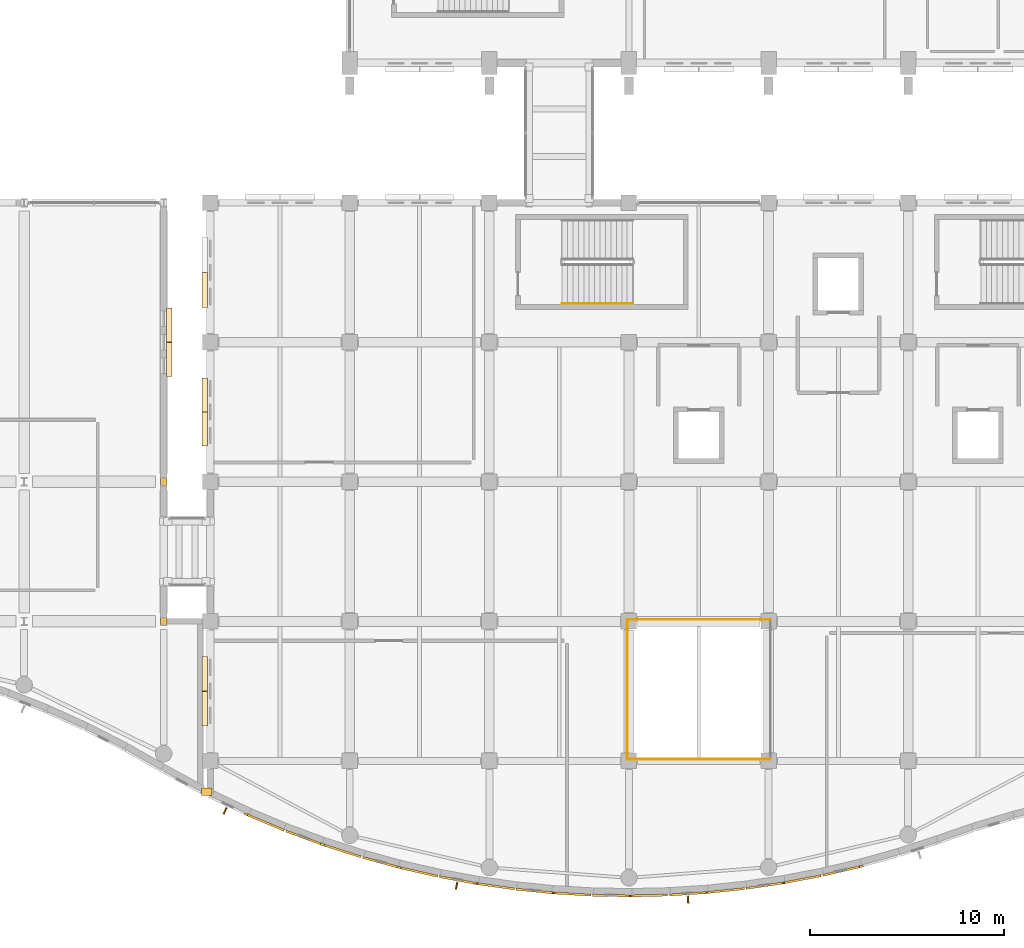
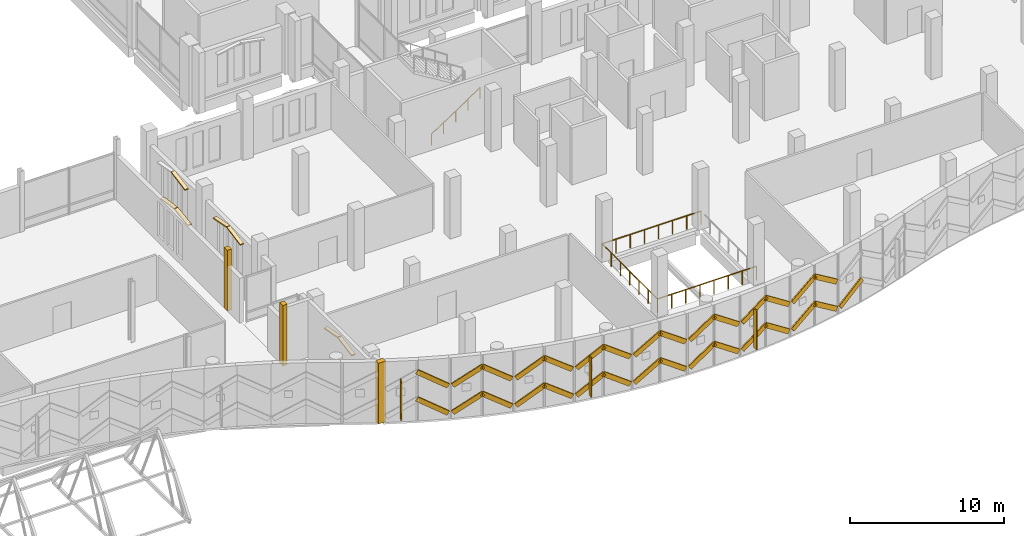
# One storey, part 204 of 220: 41 coverings, 4 railings, 3 shading devices.
"""IFC4 building model written with IfcOpenShell, lengths in metres."""

from ifc_helpers import new_model, si_unit, direction, frame, origin, origin_2d, place, context, subcontext, project, spatial, polyline, rectangle, circle, outline, extrude, material, layer, layer_set, type_object, element, save


model = new_model("IFC4")

# Units and contexts
model_context = context("Model", 3, precision=1e-05, world=origin(), true_north=direction((0.0, 1.0)))
body_context = subcontext(model_context, "Body", "Model", "MODEL_VIEW")
ifc_project = project(units=[si_unit("LENGTHUNIT", "METRE"), si_unit("AREAUNIT", "SQUARE_METRE"), si_unit("VOLUMEUNIT", "CUBIC_METRE"), si_unit("PLANEANGLEUNIT", "RADIAN"), si_unit("MASSUNIT", "GRAM", prefix="KILO")], contexts=[model_context])

# Site, building, storey
site_placement = place(None, origin())
site = spatial("IfcSite", under=ifc_project, at=site_placement, CompositionType="ELEMENT")
building_placement = place(site_placement, origin())
building = spatial("IfcBuilding", under=site, at=building_placement, Name="Cendralis Lancet Convention Centre", CompositionType="ELEMENT")
storey_placement = place(building_placement, frame((0.0, 0.0, 5.39990234375)))
storey = spatial("IfcBuildingStorey", under=building, at=storey_placement, Name="L01", CompositionType="ELEMENT", Elevation=5.39990234375)

# Coverings
ifc_material_1 = material(Name="Warm buff sandstone chevron cassette", Category="masonry")
ifc_layer_1 = layer(ifc_material_1, 0.06005859375, Name="Warm buff sandstone chevron cassette")
ifc_layer_set_1 = layer_set([ifc_layer_1], Name="Warm buff sandstone chevron cassette")
covering_type_1 = type_object("IfcCoveringType", Name="ARC-CV-CLAD1", PredefinedType="CLADDING", material=ifc_layer_set_1)
covering_1_placement = place(storey_placement, frame((133.903076171875, 4.3662109375, 1.9501953125), z_axis=(0.492533000952, -0.207444705575, 0.845208812721), x_axis=(0.779104660725, -0.327679594694, -0.53443616163)))
element("IfcCovering", 1, at=covering_1_placement, inside=storey, type_object=covering_type_1, Name="L01 Diagonal Stone Chevron Relief CL-ST1 #0397", PredefinedType="CLADDING", context=body_context, shape_type="SweptSolid", body=[
    extrude(outline(polyline([(0.0, 0.0), (2.4326015426180643, -5.97395397039513e-17), (2.4326085260737225, 0.11018317912676806), (8.698335670653812e-05, 0.10995814651646971), (0.0, 0.0)])), origin(), (0.0, 0.0, -1.0), 0.360107421875),
])
covering_2_placement = place(storey_placement, frame((135.8837890625, 3.535400390625, 0.650146484375), z_axis=(-0.507780276256, 0.18726648486, 0.840886707407), x_axis=(0.788897872123, -0.291085223623, 0.541211178698)))
element("IfcCovering", 2, at=covering_2_placement, inside=storey, type_object=covering_type_1, Name="L01 Diagonal Stone Chevron Relief CL-ST1 #0403", PredefinedType="CLADDING", context=body_context, shape_type="SweptSolid", body=[
    extrude(outline(polyline([(0.0, 0.0), (2.402110080674847, -4.255493527005605e-17), (2.40209519260325, 0.11007060415303944), (-1.488807159711475e-05, 0.11007060415303944), (0.0, 0.0)])), origin(), (0.0, 0.0, -1.0), 0.360107421875),
])
covering_3_placement = place(storey_placement, frame((137.864990234375, 2.806396484375, 1.9501953125), z_axis=(0.521034863951, -0.167605620572, 0.836917574496), x_axis=(0.7968902502, -0.25572848478, -0.547328851066)))
element("IfcCovering", 3, at=covering_3_placement, inside=storey, type_object=covering_type_1, Name="L01 Diagonal Stone Chevron Relief CL-ST1 #0409", PredefinedType="CLADDING", context=body_context, shape_type="SweptSolid", body=[
    extrude(outline(polyline([(0.0, 0.0), (2.375260915980276, 1.6333505728494124e-16), (2.375325206643625, 0.11002183942709215), (6.42906633486727e-05, 0.11002183942709198), (0.0, 0.0)])), origin(), (0.0, 0.0, -1.0), 0.360107421875),
])
covering_4_placement = place(storey_placement, frame((139.845458984375, 2.1728515625, 0.650146484375), z_axis=(-0.532755676601, 0.14607816939, 0.833566168626), x_axis=(0.80388726302, -0.220449146202, 0.552419625188)))
element("IfcCovering", 4, at=covering_4_placement, inside=storey, type_object=covering_type_1, Name="L01 Diagonal Stone Chevron Relief CL-ST1 #0415", PredefinedType="CLADDING", context=body_context, shape_type="SweptSolid", body=[
    extrude(outline(polyline([(0.0, 0.0), (2.3533719094111722, 2.0837010502455788e-17), (2.353368895458001, 0.10986789265701721), (-3.0139531707260026e-06, 0.10986789265701727), (0.0, 0.0)])), origin(), (0.0, 0.0, -1.0), 0.360107421875),
])
covering_5_placement = place(storey_placement, frame((141.82568359375, 1.6318359375, 1.9501953125), z_axis=(0.542527889255, -0.124676488771, 0.830734170796), x_axis=(0.809746338666, -0.185553799789, -0.556669250454)))
element("IfcCovering", 5, at=covering_5_placement, inside=storey, type_object=covering_type_1, Name="L01 Diagonal Stone Chevron Relief CL-ST1 #0421", PredefinedType="CLADDING", context=body_context, shape_type="SweptSolid", body=[
    extrude(outline(polyline([(0.0, 0.0), (2.3354289288572163, -1.1069704181077e-16), (2.3354632814690657, 0.1102156286473947), (7.965383250090746e-05, 0.10997766659986817), (0.0, 0.0)])), origin(), (0.0, 0.0, -1.0), 0.360107421875),
])
covering_6_placement = place(storey_placement, frame((143.805908203125, 1.18017578125, 0.650146484375), z_axis=(-0.550577336212, 0.10191273492, 0.82853991534), x_axis=(0.814606038001, -0.151312519515, 0.559929928018)))
element("IfcCovering", 6, at=covering_6_placement, inside=storey, type_object=covering_type_1, Name="L01 Diagonal Stone Chevron Relief CL-ST1 #0427", PredefinedType="CLADDING", context=body_context, shape_type="SweptSolid", body=[
    extrude(outline(polyline([(0.0, 0.0), (2.321806288738312, -2.2985086056692694e-17), (2.321749220615972, 0.10999150106814967), (-5.7068122340086375e-05, 0.1099915010681497), (0.0, 0.0)])), origin(), (0.0, 0.0, -1.0), 0.360107421875),
])
covering_7_placement = place(storey_placement, frame((145.787109375, 0.81396484375, 1.9501953125), z_axis=(0.557291093283, -0.079256404084, 0.826525897815), x_axis=(0.818231606827, -0.116799638593, -0.562898642753)))
element("IfcCovering", 7, at=covering_7_placement, inside=storey, type_object=covering_type_1, Name="L01 Diagonal Stone Chevron Relief CL-ST1 #0433", PredefinedType="CLADDING", context=body_context, shape_type="SweptSolid", body=[
    extrude(outline(polyline([(0.0, 0.0), (2.3096752299209027, 1.3010426069826053e-18), (2.3095138902674024, 0.11020927018501564), (6.693945915100565e-05, 0.11000203464667566), (0.0, 0.0)])), origin(), (0.0, 0.0, -1.0), 0.360107421875),
])
covering_8_placement = place(storey_placement, frame((147.767333984375, 0.533203125, 0.650146484375), z_axis=(-0.562099540829, 0.05633514329, 0.825148748912), x_axis=(0.8210105266, -0.082536011073, 0.564915499954)))
element("IfcCovering", 8, at=covering_8_placement, inside=storey, type_object=covering_type_1, Name="L01 Diagonal Stone Chevron Relief CL-ST1 #0439", PredefinedType="CLADDING", context=body_context, shape_type="SweptSolid", body=[
    extrude(outline(polyline([(0.0, 0.0), (2.301315556451815, 1.620882247865829e-17), (2.301287920886672, 0.11016830139976394), (-2.7635565143182064e-05, 0.11016830139976395), (0.0, 0.0)])), origin(), (0.0, 0.0, -1.0), 0.360107421875),
])
covering_9_placement = place(storey_placement, frame((149.747314453125, 0.336181640625, 1.9501953125), z_axis=(0.565274224042, -0.032733028564, 0.824253359395), x_axis=(0.822801091345, -0.048912962267, -0.566220704499)))
element("IfcCovering", 9, at=covering_9_placement, inside=storey, type_object=covering_type_1, Name="L01 Diagonal Stone Chevron Relief CL-ST1 #0445", PredefinedType="CLADDING", context=body_context, shape_type="SweptSolid", body=[
    extrude(outline(polyline([(0.0, 0.0), (2.2960107565745815, 8.890457814381136e-18), (2.2958718181754803, 0.1098026840626082), (-0.00013893839910132395, 0.10980268406260817), (0.0, 0.0)])), origin(), (0.0, 0.0, -1.0), 0.360107421875),
])
covering_10_placement = place(storey_placement, frame((151.727294921875, 0.22021484375, 0.650146484375), z_axis=(-0.566597239301, 0.010050505353, 0.823933586983), x_axis=(0.823796970559, -0.015005215457, 0.56668632841)))
element("IfcCovering", 10, at=covering_10_placement, inside=storey, type_object=covering_type_1, Name="L01 Diagonal Stone Chevron Relief CL-ST1 #0451", PredefinedType="CLADDING", context=body_context, shape_type="SweptSolid", body=[
    extrude(outline(polyline([(0.0, 0.0), (2.294124214663174, -1.734723475976807e-18), (2.2940810075327023, 0.1101247346528868), (-4.3207130471803034e-05, 0.11012473465288682), (0.0, 0.0)])), origin(), (0.0, 0.0, -1.0), 0.360107421875),
])
covering_11_placement = place(storey_placement, frame((153.7080078125, 0.18603515625, 1.9501953125), z_axis=(0.566669286218, 0.013222283345, 0.823839238735), x_axis=(0.823623824388, 0.018839668673, -0.56682348468)))
element("IfcCovering", 11, at=covering_11_placement, inside=storey, type_object=covering_type_1, Name="L01 Diagonal Stone Chevron Relief CL-ST1 #0457", PredefinedType="CLADDING", context=body_context, shape_type="SweptSolid", body=[
    extrude(outline(polyline([(0.0, 0.0), (2.293669636325795, -2.710505431213761e-19), (2.293527543756099, 0.10989598606756934), (5.898746555506665e-05, 0.10989036703460581), (0.0, 0.0)])), origin(), (0.0, 0.0, -1.0), 0.360107421875),
])
covering_12_placement = place(storey_placement, frame((155.687744140625, 0.233154296875, 0.650146484375), z_axis=(-0.565021610115, -0.035156900185, 0.824326738904), x_axis=(0.822645657543, 0.052624657597, 0.566113740814)))
element("IfcCovering", 12, at=covering_12_placement, inside=storey, type_object=covering_type_1, Name="L01 Diagonal Stone Chevron Relief CL-ST1 #0463", PredefinedType="CLADDING", context=body_context, shape_type="SweptSolid", body=[
    extrude(outline(polyline([(0.0, 0.0), (2.2964445735871357, 3.469446951953614e-18), (2.296602536845764, 0.11007563606961095), (0.0001579632586282678, 0.11007563606961095), (0.0, 0.0)])), origin(), (0.0, 0.0, -1.0), 0.360107421875),
])
covering_13_placement = place(storey_placement, frame((157.66748046875, 0.36181640625, 1.9501953125), z_axis=(0.561545786047, 0.059538894726, 0.825300824056), x_axis=(0.820741180237, 0.086633783369, -0.564693281917)))
element("IfcCovering", 13, at=covering_13_placement, inside=storey, type_object=covering_type_1, Name="L01 Diagonal Stone Chevron Relief CL-ST1 #0469", PredefinedType="CLADDING", context=body_context, shape_type="SweptSolid", body=[
    extrude(outline(polyline([(0.0, 0.0), (2.302321353089751, 3.0899761915836876e-18), (2.302178862439796, 0.1100008851061633), (5.788561475185937e-05, 0.10997522100785523), (0.0, 0.0)])), origin(), (0.0, 0.0, -1.0), 0.360107421875),
])
covering_14_placement = place(storey_placement, frame((159.647216796875, 0.57275390625, 0.650146484375), z_axis=(-0.556536288522, -0.08254246077, 0.826712829057), x_axis=(0.817891405878, 0.120449063777, 0.562623916329)))
element("IfcCovering", 14, at=covering_14_placement, inside=storey, type_object=covering_type_1, Name="L01 Diagonal Stone Chevron Relief CL-ST1 #0475", PredefinedType="CLADDING", context=body_context, shape_type="SweptSolid", body=[
    extrude(outline(polyline([(0.0, 0.0), (2.3106888818513065, 7.37257477290143e-18), (2.310595864417957, 0.10983095630124241), (-9.301743334994353e-05, 0.10983095630124243), (0.0, 0.0)])), origin(), (0.0, 0.0, -1.0), 0.360107421875),
])
covering_15_placement = place(storey_placement, frame((161.626708984375, 0.8662109375, 1.9501953125), z_axis=(0.549718528844, 0.104471394622, 0.828791449492), x_axis=(0.814169448592, 0.154994829204, -0.559557603737)))
element("IfcCovering", 15, at=covering_15_placement, inside=storey, type_object=covering_type_1, Name="L01 Diagonal Stone Chevron Relief CL-ST1 #0481", PredefinedType="CLADDING", context=body_context, shape_type="SweptSolid", body=[
    extrude(outline(polyline([(0.0, 0.0), (2.3233511964511706, 3.90583832637903e-17), (2.3233798782935717, 0.10984157397263787), (2.8681842401040436e-05, 0.10984157397263791), (0.0, 0.0)])), origin(), (0.0, 0.0, -1.0), 0.360107421875),
])
covering_16_placement = place(storey_placement, frame((163.607421875, 1.2451171875, 0.650146484375), z_axis=(-0.541506189498, -0.127195296507, 0.83101889466), x_axis=(0.809127679696, 0.189485875457, 0.556244101948)))
element("IfcCovering", 16, at=covering_16_placement, inside=storey, type_object=covering_type_1, Name="L01 Diagonal Stone Chevron Relief CL-ST1 #0487", PredefinedType="CLADDING", context=body_context, shape_type="SweptSolid", body=[
    extrude(outline(polyline([(0.0, 0.0), (2.3372144111030053, -1.100465205072787e-16), (2.3371301001755995, 0.10985049749226938), (-3.8049727343364426e-05, 0.11008819524961726), (0.0, 0.0)])), origin(), (0.0, 0.0, -1.0), 0.360107421875),
])
covering_17_placement = place(storey_placement, origin())
element("IfcCovering", 17, at=covering_17_placement, inside=storey, type_object=covering_type_1, Name="L01 Wave Ribbon 200mm Seismic-Joint Stone Cover Strip", PredefinedType="CLADDING", context=body_context, shape_type="SweptSolid", body=[
    extrude(outline(polyline([(131.5400390625, 5.431396484375), (132.080078125, 5.431396484375), (132.080078125, 5.8115234375), (131.5400390625, 5.8115234375), (131.5400390625, 5.431396484375)])), origin(), (0.0, 0.0, 1.0), 4.800048828125),
])
for number, where, z_axis, x_axis, name in (
    (18, (130.02001953125, 30.56005859375, 3.27001953125), (0.0, 0.133150842636, 0.991095784022), (-1.0, 0.0, 0.0), "L01 Gothic Pointed Lancet Hood-Mould #0259L"),
    (19, (130.02001953125, 28.7900390625, 3.505126953125), (0.0, -0.133150842636, 0.991095784022), (-1.0, 0.0, 0.0), "L01 Gothic Pointed Lancet Hood-Mould #0260R"),
):
    element("IfcCovering", number, at=place(storey_placement, frame(where, z_axis=z_axis, x_axis=x_axis)), inside=storey, type_object=covering_type_1, Name=name, PredefinedType="CLADDING", context=body_context, shape_type="SweptSolid", body=[
        extrude(outline(polyline([(0.0, 0.0), (0.284912109375, 0.0), (0.284912109375, 1.7657223733703749), (0.0, 1.7657223733703749), (0.0, 0.0)])), origin(), (0.0, 0.0, -1.0), 0.090087890625),
    ])
for number, where, z_axis, x_axis, name in (
    (20, (131.580078125, 9.0, 3.27001953125), (0.0, -0.183932374671, 0.982938900211), (1.0, 0.0, 0.0), "L01 Gothic Pointed Lancet Hood-Mould #0343L"),
    (21, (131.580078125, 10.81005859375, 3.60498046875), (0.0, 0.183932374671, 0.982938900211), (1.0, 0.0, 0.0), "L01 Gothic Pointed Lancet Hood-Mould #0344R"),
):
    element("IfcCovering", number, at=place(storey_placement, frame(where, z_axis=z_axis, x_axis=x_axis)), inside=storey, type_object=covering_type_1, Name=name, PredefinedType="CLADDING", context=body_context, shape_type="SweptSolid", body=[
        extrude(outline(polyline([(0.0, 0.0), (0.284912109375, 0.0), (0.284912109375, 1.8211091880847667), (0.0, 1.8211091880847667), (0.0, 0.0)])), origin(), (0.0, 0.0, -1.0), 0.090087890625),
    ])
for number, where, z_axis, x_axis, name in (
    (22, (131.580078125, 23.43994140625, 3.27001953125), (0.0, -0.187993527685, 0.982170267086), (1.0, 0.0, 0.0), "L01 Gothic Pointed Lancet Hood-Mould #0345L"),
    (23, (131.580078125, 25.2099609375, 3.60498046875), (0.0, 0.187993527685, 0.982170267086), (1.0, 0.0, 0.0), "L01 Gothic Pointed Lancet Hood-Mould #0346R"),
):
    element("IfcCovering", number, at=place(storey_placement, frame(where, z_axis=z_axis, x_axis=x_axis)), inside=storey, type_object=covering_type_1, Name=name, PredefinedType="CLADDING", context=body_context, shape_type="SweptSolid", body=[
        extrude(outline(polyline([(0.0, 0.0), (0.284912109375, 0.0), (0.284912109375, 1.7817684556784807), (0.0, 1.7817684556784807), (0.0, 0.0)])), origin(), (0.0, 0.0, -1.0), 0.090087890625),
    ])
covering_18_placement = place(storey_placement, frame((131.580078125, 30.60009765625, 3.27001953125), z_axis=(0.0, -0.183956615362, 0.982934363864), x_axis=(1.0, 0.0, 0.0)))
element("IfcCovering", 24, at=covering_18_placement, inside=storey, type_object=covering_type_1, Name="L01 Gothic Pointed Lancet Hood-Mould #0347L", PredefinedType="CLADDING", context=body_context, shape_type="SweptSolid", body=[
    extrude(outline(polyline([(0.0, 0.0), (0.284912109375, 0.0), (0.284912109375, 1.8208692133210493), (0.0, 1.8208692133210493), (0.0, 0.0)])), origin(), (0.0, 0.0, -1.0), 0.090087890625),
])
covering_19_placement = place(storey_placement, origin())
element("IfcCovering", 25, at=covering_19_placement, inside=storey, type_object=covering_type_1, Name="Exterior Column Stone Fire-Casing L01 #014", PredefinedType="CLADDING", context=body_context, shape_type="SweptSolid", body=[
    extrude(outline(polyline([(129.43798828125, 14.18798828125), (129.761962890625, 14.18798828125), (129.761962890625, 14.612060546875), (129.43798828125, 14.612060546875), (129.43798828125, 14.18798828125)])), origin(), (0.0, 0.0, 1.0), 4.800048828125),
])
covering_20_placement = place(storey_placement, origin())
element("IfcCovering", 26, at=covering_20_placement, inside=storey, type_object=covering_type_1, Name="Exterior Column Stone Fire-Casing L01 #015", PredefinedType="CLADDING", context=body_context, shape_type="SweptSolid", body=[
    extrude(outline(polyline([(129.43798828125, 21.387939453125), (129.761962890625, 21.387939453125), (129.761962890625, 21.81201171875), (129.43798828125, 21.81201171875), (129.43798828125, 21.387939453125)])), origin(), (0.0, 0.0, 1.0), 4.800048828125),
])
ifc_material_2 = material(Name="Dark Andean slate chevron cassette", Category="masonry")
ifc_layer_2 = layer(ifc_material_2, 0.06005859375, Name="Dark Andean slate chevron cassette")
ifc_layer_set_2 = layer_set([ifc_layer_2], Name="Dark Andean slate chevron cassette")
covering_type_2 = type_object("IfcCoveringType", Name="ARC-CV-CLAD2", PredefinedType="CLADDING", material=ifc_layer_set_2)
covering_21_placement = place(storey_placement, frame((133.903076171875, 4.3662109375, 4.10009765625), z_axis=(0.492533000952, -0.207444705575, 0.845208812721), x_axis=(0.779104660725, -0.327679594694, -0.53443616163)))
element("IfcCovering", 27, at=covering_21_placement, inside=storey, type_object=covering_type_2, Name="L01 Diagonal Stone Chevron Relief CL-ST2 #0398", PredefinedType="CLADDING", context=body_context, shape_type="SweptSolid", body=[
    extrude(outline(polyline([(0.0, 0.0), (2.4326015426180643, -5.97395397039513e-17), (2.4326085260737225, 0.11018317912676806), (8.698335670653812e-05, 0.10995814651646971), (0.0, 0.0)])), origin(), (0.0, 0.0, -1.0), 0.360107421875),
])
covering_22_placement = place(storey_placement, frame((135.8837890625, 3.535400390625, 2.800048828125), z_axis=(-0.507780276256, 0.18726648486, 0.840886707407), x_axis=(0.788897872123, -0.291085223623, 0.541211178698)))
element("IfcCovering", 28, at=covering_22_placement, inside=storey, type_object=covering_type_2, Name="L01 Diagonal Stone Chevron Relief CL-ST2 #0404", PredefinedType="CLADDING", context=body_context, shape_type="SweptSolid", body=[
    extrude(outline(polyline([(0.0, 0.0), (2.402110080674847, -4.255493527005605e-17), (2.40209519260325, 0.11007060415303944), (-1.488807159711475e-05, 0.11007060415303944), (0.0, 0.0)])), origin(), (0.0, 0.0, -1.0), 0.360107421875),
])
covering_23_placement = place(storey_placement, frame((137.864990234375, 2.806396484375, 4.10009765625), z_axis=(0.521034863951, -0.167605620572, 0.836917574496), x_axis=(0.7968902502, -0.25572848478, -0.547328851066)))
element("IfcCovering", 29, at=covering_23_placement, inside=storey, type_object=covering_type_2, Name="L01 Diagonal Stone Chevron Relief CL-ST2 #0410", PredefinedType="CLADDING", context=body_context, shape_type="SweptSolid", body=[
    extrude(outline(polyline([(0.0, 0.0), (2.375260915980276, 1.6333505728494124e-16), (2.375325206643625, 0.11002183942709215), (6.42906633486727e-05, 0.11002183942709198), (0.0, 0.0)])), origin(), (0.0, 0.0, -1.0), 0.360107421875),
])
covering_24_placement = place(storey_placement, frame((139.845458984375, 2.1728515625, 2.800048828125), z_axis=(-0.532755676601, 0.14607816939, 0.833566168626), x_axis=(0.80388726302, -0.220449146202, 0.552419625188)))
element("IfcCovering", 30, at=covering_24_placement, inside=storey, type_object=covering_type_2, Name="L01 Diagonal Stone Chevron Relief CL-ST2 #0416", PredefinedType="CLADDING", context=body_context, shape_type="SweptSolid", body=[
    extrude(outline(polyline([(0.0, 0.0), (2.3533719094111722, 2.0837010502455788e-17), (2.353368895458001, 0.10986789265701721), (-3.0139531707260026e-06, 0.10986789265701727), (0.0, 0.0)])), origin(), (0.0, 0.0, -1.0), 0.360107421875),
])
covering_25_placement = place(storey_placement, frame((141.82568359375, 1.6318359375, 4.10009765625), z_axis=(0.542527889255, -0.124676488771, 0.830734170796), x_axis=(0.809746338666, -0.185553799789, -0.556669250454)))
element("IfcCovering", 31, at=covering_25_placement, inside=storey, type_object=covering_type_2, Name="L01 Diagonal Stone Chevron Relief CL-ST2 #0422", PredefinedType="CLADDING", context=body_context, shape_type="SweptSolid", body=[
    extrude(outline(polyline([(0.0, 0.0), (2.3354289288572163, -1.1069704181077e-16), (2.3354632814690657, 0.1102156286473947), (7.965383250090746e-05, 0.10997766659986817), (0.0, 0.0)])), origin(), (0.0, 0.0, -1.0), 0.360107421875),
])
covering_26_placement = place(storey_placement, frame((143.805908203125, 1.18017578125, 2.800048828125), z_axis=(-0.550577336212, 0.10191273492, 0.82853991534), x_axis=(0.814606038001, -0.151312519515, 0.559929928018)))
element("IfcCovering", 32, at=covering_26_placement, inside=storey, type_object=covering_type_2, Name="L01 Diagonal Stone Chevron Relief CL-ST2 #0428", PredefinedType="CLADDING", context=body_context, shape_type="SweptSolid", body=[
    extrude(outline(polyline([(0.0, 0.0), (2.321806288738312, -2.2985086056692694e-17), (2.321749220615972, 0.10999150106814967), (-5.7068122340086375e-05, 0.1099915010681497), (0.0, 0.0)])), origin(), (0.0, 0.0, -1.0), 0.360107421875),
])
covering_27_placement = place(storey_placement, frame((145.787109375, 0.81396484375, 4.10009765625), z_axis=(0.557291093283, -0.079256404084, 0.826525897815), x_axis=(0.818231606827, -0.116799638593, -0.562898642753)))
element("IfcCovering", 33, at=covering_27_placement, inside=storey, type_object=covering_type_2, Name="L01 Diagonal Stone Chevron Relief CL-ST2 #0434", PredefinedType="CLADDING", context=body_context, shape_type="SweptSolid", body=[
    extrude(outline(polyline([(0.0, 0.0), (2.3096752299209027, 1.3010426069826053e-18), (2.3095138902674024, 0.11020927018501564), (6.693945915100565e-05, 0.11000203464667566), (0.0, 0.0)])), origin(), (0.0, 0.0, -1.0), 0.360107421875),
])
covering_28_placement = place(storey_placement, frame((147.767333984375, 0.533203125, 2.800048828125), z_axis=(-0.562099540829, 0.05633514329, 0.825148748912), x_axis=(0.8210105266, -0.082536011073, 0.564915499954)))
element("IfcCovering", 34, at=covering_28_placement, inside=storey, type_object=covering_type_2, Name="L01 Diagonal Stone Chevron Relief CL-ST2 #0440", PredefinedType="CLADDING", context=body_context, shape_type="SweptSolid", body=[
    extrude(outline(polyline([(0.0, 0.0), (2.301315556451815, 1.620882247865829e-17), (2.301287920886672, 0.11016830139976394), (-2.7635565143182064e-05, 0.11016830139976395), (0.0, 0.0)])), origin(), (0.0, 0.0, -1.0), 0.360107421875),
])
covering_29_placement = place(storey_placement, frame((149.747314453125, 0.336181640625, 4.10009765625), z_axis=(0.565274224042, -0.032733028564, 0.824253359395), x_axis=(0.822801091345, -0.048912962267, -0.566220704499)))
element("IfcCovering", 35, at=covering_29_placement, inside=storey, type_object=covering_type_2, Name="L01 Diagonal Stone Chevron Relief CL-ST2 #0446", PredefinedType="CLADDING", context=body_context, shape_type="SweptSolid", body=[
    extrude(outline(polyline([(0.0, 0.0), (2.2960107565745815, 8.890457814381136e-18), (2.2958718181754803, 0.1098026840626082), (-0.00013893839910132395, 0.10980268406260817), (0.0, 0.0)])), origin(), (0.0, 0.0, -1.0), 0.360107421875),
])
covering_30_placement = place(storey_placement, frame((151.727294921875, 0.22021484375, 2.800048828125), z_axis=(-0.566597239301, 0.010050505353, 0.823933586983), x_axis=(0.823796970559, -0.015005215457, 0.56668632841)))
element("IfcCovering", 36, at=covering_30_placement, inside=storey, type_object=covering_type_2, Name="L01 Diagonal Stone Chevron Relief CL-ST2 #0452", PredefinedType="CLADDING", context=body_context, shape_type="SweptSolid", body=[
    extrude(outline(polyline([(0.0, 0.0), (2.294124214663174, -1.734723475976807e-18), (2.2940810075327023, 0.1101247346528868), (-4.3207130471803034e-05, 0.11012473465288682), (0.0, 0.0)])), origin(), (0.0, 0.0, -1.0), 0.360107421875),
])
covering_31_placement = place(storey_placement, frame((153.7080078125, 0.18603515625, 4.10009765625), z_axis=(0.566669286218, 0.013222283345, 0.823839238735), x_axis=(0.823623824388, 0.018839668673, -0.56682348468)))
element("IfcCovering", 37, at=covering_31_placement, inside=storey, type_object=covering_type_2, Name="L01 Diagonal Stone Chevron Relief CL-ST2 #0458", PredefinedType="CLADDING", context=body_context, shape_type="SweptSolid", body=[
    extrude(outline(polyline([(0.0, 0.0), (2.293669636325795, -2.710505431213761e-19), (2.293527543756099, 0.10989598606756934), (5.898746555506665e-05, 0.10989036703460581), (0.0, 0.0)])), origin(), (0.0, 0.0, -1.0), 0.360107421875),
])
covering_32_placement = place(storey_placement, frame((155.687744140625, 0.233154296875, 2.800048828125), z_axis=(-0.565021610115, -0.035156900185, 0.824326738904), x_axis=(0.822645657543, 0.052624657597, 0.566113740814)))
element("IfcCovering", 38, at=covering_32_placement, inside=storey, type_object=covering_type_2, Name="L01 Diagonal Stone Chevron Relief CL-ST2 #0464", PredefinedType="CLADDING", context=body_context, shape_type="SweptSolid", body=[
    extrude(outline(polyline([(0.0, 0.0), (2.2964445735871357, 3.469446951953614e-18), (2.296602536845764, 0.11007563606961095), (0.0001579632586282678, 0.11007563606961095), (0.0, 0.0)])), origin(), (0.0, 0.0, -1.0), 0.360107421875),
])
covering_33_placement = place(storey_placement, frame((157.66748046875, 0.36181640625, 4.10009765625), z_axis=(0.561545786047, 0.059538894726, 0.825300824056), x_axis=(0.820741180237, 0.086633783369, -0.564693281917)))
element("IfcCovering", 39, at=covering_33_placement, inside=storey, type_object=covering_type_2, Name="L01 Diagonal Stone Chevron Relief CL-ST2 #0470", PredefinedType="CLADDING", context=body_context, shape_type="SweptSolid", body=[
    extrude(outline(polyline([(0.0, 0.0), (2.302321353089751, 3.0899761915836876e-18), (2.302178862439796, 0.1100008851061633), (5.788561475185937e-05, 0.10997522100785523), (0.0, 0.0)])), origin(), (0.0, 0.0, -1.0), 0.360107421875),
])
covering_34_placement = place(storey_placement, frame((159.647216796875, 0.57275390625, 2.800048828125), z_axis=(-0.556536288522, -0.08254246077, 0.826712829057), x_axis=(0.817891405878, 0.120449063777, 0.562623916329)))
element("IfcCovering", 40, at=covering_34_placement, inside=storey, type_object=covering_type_2, Name="L01 Diagonal Stone Chevron Relief CL-ST2 #0476", PredefinedType="CLADDING", context=body_context, shape_type="SweptSolid", body=[
    extrude(outline(polyline([(0.0, 0.0), (2.3106888818513065, 7.37257477290143e-18), (2.310595864417957, 0.10983095630124241), (-9.301743334994353e-05, 0.10983095630124243), (0.0, 0.0)])), origin(), (0.0, 0.0, -1.0), 0.360107421875),
])
covering_35_placement = place(storey_placement, frame((161.626708984375, 0.8662109375, 4.10009765625), z_axis=(0.549718528844, 0.104471394622, 0.828791449492), x_axis=(0.814169448592, 0.154994829204, -0.559557603737)))
element("IfcCovering", 41, at=covering_35_placement, inside=storey, type_object=covering_type_2, Name="L01 Diagonal Stone Chevron Relief CL-ST2 #0482", PredefinedType="CLADDING", context=body_context, shape_type="SweptSolid", body=[
    extrude(outline(polyline([(0.0, 0.0), (2.3233511964511706, 3.90583832637903e-17), (2.3233798782935717, 0.10984157397263787), (2.8681842401040436e-05, 0.10984157397263791), (0.0, 0.0)])), origin(), (0.0, 0.0, -1.0), 0.360107421875),
])

# Railings
ifc_material_3 = material(Name="Steel S355", Category="steel")
railing_type_1 = type_object("IfcRailingType", Name="ARC-RL-CHR", PredefinedType="HANDRAIL", material=ifc_material_3)
railing_1_placement = place(storey_placement, frame((150.14990234375, 30.800048828125, 0.171630859375)))
element("IfcRailing", 42, at=railing_1_placement, inside=storey, type_object=railing_type_1, Name="L01 ST-13 stair handrail 1", PredefinedType="HANDRAIL", context=body_context, shape_type="SweptSolid", body=[
    extrude(circle(Radius=0.02392578125, at=origin_2d()), frame((0.0, 0.0, 0.8759765625), z_axis=(0.83488217925, 0.0, 0.55042869363), x_axis=(0.0, 1.0, 0.0)), (0.0, 0.0, 1.0), 4.360107421875),
    extrude(circle(Radius=0.02099609375, at=origin_2d()), origin(), (0.0, 0.0, 1.0), 0.851806640625),
    extrude(circle(Radius=0.02099609375, at=origin_2d()), frame((0.91015625, 0.0, 0.60009765625)), (0.0, 0.0, 1.0), 0.851806640625),
    extrude(circle(Radius=0.02099609375, at=origin_2d()), frame((1.820068359375, 0.0, 1.199951171875)), (0.0, 0.0, 1.0), 0.851806640625),
    extrude(circle(Radius=0.02099609375, at=origin_2d()), frame((2.72998046875, 0.0, 1.7998046875)), (0.0, 0.0, 1.0), 0.851806640625),
    extrude(circle(Radius=0.02099609375, at=origin_2d()), frame((3.64013671875, 0.0, 2.39990234375)), (0.0, 0.0, 1.0), 0.851806640625),
])
railing_type_2 = type_object("IfcRailingType", Name="ARC-RL-IG01", PredefinedType="GUARDRAIL", material=ifc_material_3)
railing_2_placement = place(storey_placement, frame((153.5, 7.300048828125, 0.0)))
element("IfcRailing", 43, at=railing_2_placement, inside=storey, type_object=railing_type_2, Name="L01 Atrium Void Guardrail GD-IN1 #025", PredefinedType="GUARDRAIL", context=body_context, shape_type="SweptSolid", body=[
    extrude(circle(Radius=0.02392578125, at=origin_2d()), frame((0.0, 0.0, 1.076171875), z_axis=(1.0, 0.0, 0.0), x_axis=(0.0, 1.0, 0.0)), (0.0, 0.0, 1.0), 7.39990234375),
    extrude(circle(Radius=0.02099609375, at=origin_2d()), origin(), (0.0, 0.0, 1.0), 1.052001953125),
    extrude(circle(Radius=0.02099609375, at=origin_2d()), frame((1.05712890625, 0.0, 0.0)), (0.0, 0.0, 1.0), 1.052001953125),
    extrude(circle(Radius=0.02099609375, at=origin_2d()), frame((2.1142578125, 0.0, 0.0)), (0.0, 0.0, 1.0), 1.052001953125),
    extrude(circle(Radius=0.02099609375, at=origin_2d()), frame((3.17138671875, 0.0, 0.0)), (0.0, 0.0, 1.0), 1.052001953125),
    extrude(circle(Radius=0.02099609375, at=origin_2d()), frame((4.228515625, 0.0, 0.0)), (0.0, 0.0, 1.0), 1.052001953125),
    extrude(circle(Radius=0.02099609375, at=origin_2d()), frame((5.28564453125, 0.0, 0.0)), (0.0, 0.0, 1.0), 1.052001953125),
    extrude(circle(Radius=0.02099609375, at=origin_2d()), frame((6.3427734375, 0.0, 0.0)), (0.0, 0.0, 1.0), 1.052001953125),
    extrude(circle(Radius=0.02099609375, at=origin_2d()), frame((7.39990234375, 0.0, 0.0)), (0.0, 0.0, 1.0), 1.052001953125),
])
railing_3_placement = place(storey_placement, frame((160.89990234375, 14.5, 0.0)))
element("IfcRailing", 44, at=railing_3_placement, inside=storey, type_object=railing_type_2, Name="L01 Atrium Void Guardrail GD-IN1 #027", PredefinedType="GUARDRAIL", context=body_context, shape_type="SweptSolid", body=[
    extrude(circle(Radius=0.02392578125, at=origin_2d()), frame((0.0, 0.0, 1.076171875), z_axis=(-1.0, 0.0, 0.0), x_axis=(0.0, -1.0, 0.0)), (0.0, 0.0, 1.0), 7.39990234375),
    extrude(circle(Radius=0.02099609375, at=origin_2d()), origin(), (0.0, 0.0, 1.0), 1.052001953125),
    extrude(circle(Radius=0.02099609375, at=origin_2d()), frame((-1.05712890625, 0.0, 0.0)), (0.0, 0.0, 1.0), 1.052001953125),
    extrude(circle(Radius=0.02099609375, at=origin_2d()), frame((-2.1142578125, 0.0, 0.0)), (0.0, 0.0, 1.0), 1.052001953125),
    extrude(circle(Radius=0.02099609375, at=origin_2d()), frame((-3.17138671875, 0.0, 0.0)), (0.0, 0.0, 1.0), 1.052001953125),
    extrude(circle(Radius=0.02099609375, at=origin_2d()), frame((-4.228515625, 0.0, 0.0)), (0.0, 0.0, 1.0), 1.052001953125),
    extrude(circle(Radius=0.02099609375, at=origin_2d()), frame((-5.28564453125, 0.0, 0.0)), (0.0, 0.0, 1.0), 1.052001953125),
    extrude(circle(Radius=0.02099609375, at=origin_2d()), frame((-6.3427734375, 0.0, 0.0)), (0.0, 0.0, 1.0), 1.052001953125),
    extrude(circle(Radius=0.02099609375, at=origin_2d()), frame((-7.39990234375, 0.0, 0.0)), (0.0, 0.0, 1.0), 1.052001953125),
])
railing_4_placement = place(storey_placement, frame((153.5, 14.5, 0.0)))
element("IfcRailing", 45, at=railing_4_placement, inside=storey, type_object=railing_type_2, Name="L01 Atrium Void Guardrail GD-IN1 #028", PredefinedType="GUARDRAIL", context=body_context, shape_type="SweptSolid", body=[
    extrude(circle(Radius=0.02392578125, at=origin_2d()), frame((0.0, 0.0, 1.076171875), z_axis=(0.0, -1.0, 0.0), x_axis=(1.0, 0.0, 0.0)), (0.0, 0.0, 1.0), 7.199951171875),
    extrude(circle(Radius=0.02099609375, at=origin_2d()), origin(), (0.0, 0.0, 1.0), 1.052001953125),
    extrude(circle(Radius=0.02099609375, at=origin_2d()), frame((0.0, -1.199951171875, 0.0)), (0.0, 0.0, 1.0), 1.052001953125),
    extrude(circle(Radius=0.02099609375, at=origin_2d()), frame((0.0, -2.39990234375, 0.0)), (0.0, 0.0, 1.0), 1.052001953125),
    extrude(circle(Radius=0.02099609375, at=origin_2d()), frame((0.0, -3.60009765625, 0.0)), (0.0, 0.0, 1.0), 1.052001953125),
    extrude(circle(Radius=0.02099609375, at=origin_2d()), frame((0.0, -4.800048828125, 0.0)), (0.0, 0.0, 1.0), 1.052001953125),
    extrude(circle(Radius=0.02099609375, at=origin_2d()), frame((0.0, -6.0, 0.0)), (0.0, 0.0, 1.0), 1.052001953125),
    extrude(circle(Radius=0.02099609375, at=origin_2d()), frame((0.0, -7.199951171875, 0.0)), (0.0, 0.0, 1.0), 1.052001953125),
])

# Shading devices
ifc_material_4 = material(Name="Anodised bronze architectural aluminium", Category="aluminium")
shading_device_type = type_object("IfcShadingDeviceType", Name="ARC-SH-FIN1", PredefinedType="USERDEFINED", material=ifc_material_4)
for number, where, z_axis, x_axis, name in (
    (46, (132.76171875, 4.623291015625, 0.449951171875), (0.0, 0.0, 1.0), (0.903507405674, -0.428572476825, 0.0), "Anodised Bronze Lancet Solar Fin SF-01 #023"),
    (47, (144.705078125, 0.753662109375, 0.449951171875), (0.0, 0.0, 1.0), (0.983175298719, -0.182664534019, 0.0), "Anodised Bronze Lancet Solar Fin SF-01 #025"),
    (48, (156.648681640625, 0.0390625, 0.449951171875), (0.0, 0.0, 1.0), (0.997959312839, 0.063853033741, 0.0), "Anodised Bronze Lancet Solar Fin SF-01 #027"),
):
    element("IfcShadingDevice", number, at=place(storey_placement, frame(where, z_axis=z_axis, x_axis=x_axis)), inside=storey, type_object=shading_device_type, Name=name, ObjectType="FIN", PredefinedType="USERDEFINED", context=body_context, shape_type="SweptSolid", body=[
        extrude(rectangle(XDim=0.080078125, YDim=0.340087890625, at=origin_2d()), origin(), (0.0, 0.0, 1.0), 3.10009765625),
    ])

save(model, "model.ifc")
